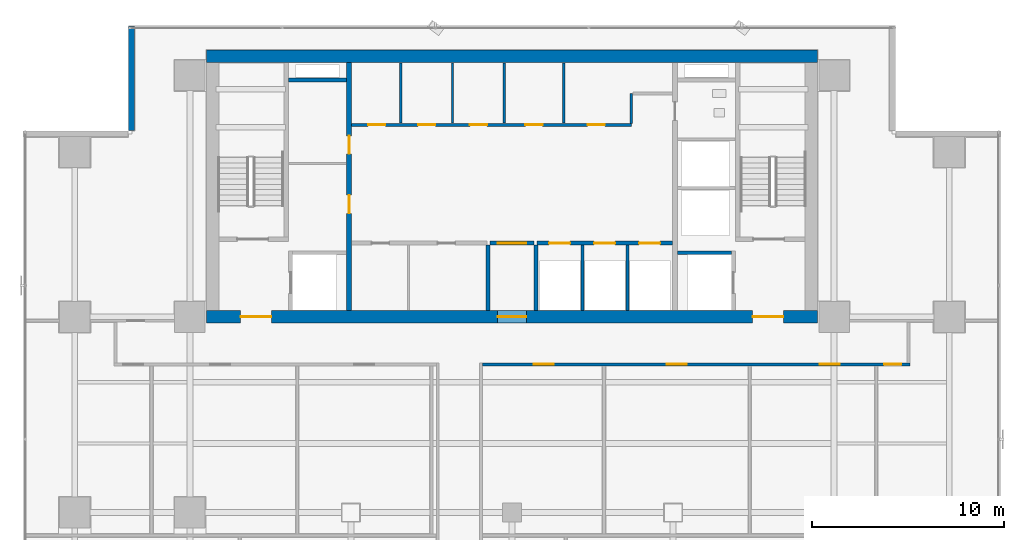
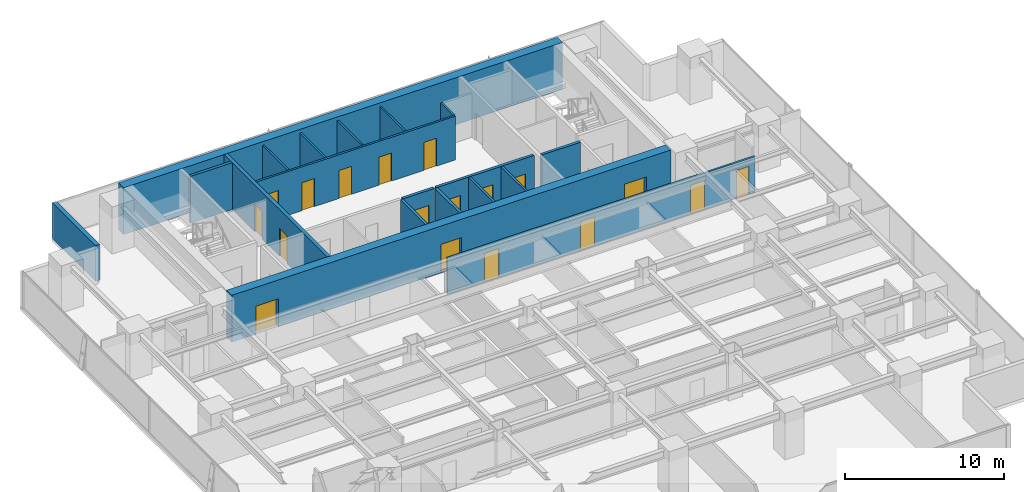
# One storey, part 27 of 34: 19 walls, 18 doors, 18 openings.
"""IFC4 building model written with IfcOpenShell, lengths in metres."""

from ifc_helpers import new_model, si_unit, direction, frame, frame_2d, origin, place, context, subcontext, project, spatial, rectangle, extrude, source, transform, mapped, material, layer, layer_set, type_object, element, fill, save


model = new_model("IFC4")

# Units and contexts
model_context = context("Model", 3, precision=1e-05, world=origin(), true_north=direction((0.0, 1.0)))
body_context = subcontext(model_context, "Body", "Model", "MODEL_VIEW")
ifc_project = project(units=[si_unit("LENGTHUNIT", "METRE"), si_unit("AREAUNIT", "SQUARE_METRE"), si_unit("VOLUMEUNIT", "CUBIC_METRE"), si_unit("PLANEANGLEUNIT", "RADIAN"), si_unit("MASSUNIT", "GRAM", prefix="KILO")], contexts=[model_context])

# Site, building, storey
site_placement = place(None, origin())
site = spatial("IfcSite", under=ifc_project, at=site_placement, CompositionType="ELEMENT")
building_placement = place(site_placement, origin())
building = spatial("IfcBuilding", under=site, at=building_placement, Name="Sumidabori Civic Tower", CompositionType="ELEMENT")
storey_placement = place(building_placement, frame((0.0, 0.0, 99.199951171875)))
storey = spatial("IfcBuildingStorey", under=building, at=storey_placement, Name="L25", CompositionType="ELEMENT", Elevation=99.199951171875)

# Walls
ifc_material_1 = material(Name="Concrete C50/60", Category="concrete")
ifc_layer_1 = layer(ifc_material_1, 0.199951171875, Name="Concrete C50/60")
ifc_layer_set_1 = layer_set([ifc_layer_1], Name="Concrete C50/60")
wall_type_1 = type_object("IfcWallType", Name="WL-SHAFT-200", PredefinedType="SHEAR", material=ifc_layer_set_1)
shared_shape_1 = source(origin(), body_context, "Body", "SweptSolid", [
    extrude(rectangle(XDim=2.824951171875, YDim=0.199951171875, at=frame_2d((1.41259765625, 0.0))), origin(), (0.0, 0.0, 1.0), 3.60009765625),
])
wall_1_placement = place(storey_placement, frame((8.625, 13.550048828125, 0.0), z_axis=(0.0, 0.0, 1.0), x_axis=(1.0, 0.0, 0.0)))
element("IfcWall", 1, at=wall_1_placement, inside=storey, type_object=wall_type_1, Name="Core Shear Wall L25 EL2-N", PredefinedType="SHEAR", context=body_context, shape_type="MappedRepresentation", body=[
    mapped(shared_shape_1, transform((0.0, 0.0, 0.0), x_axis=(1.0, 0.0, 0.0), y_axis=(0.0, 1.0, 0.0), z_axis=(0.0, 0.0, 1.0), scale=1.0)),
])
shared_shape_2 = source(origin(), body_context, "Body", "SweptSolid", [
    extrude(rectangle(XDim=3.02001953125, YDim=0.199951171875, at=frame_2d((1.510009765625, 0.0))), origin(), (0.0, 0.0, 1.0), 3.60009765625),
])
wall_2_placement = place(storey_placement, frame((-11.64501953125, 22.550048828125, 0.0), z_axis=(0.0, 0.0, 1.0), x_axis=(1.0, 0.0, 0.0)))
element("IfcWall", 2, at=wall_2_placement, inside=storey, type_object=wall_type_1, Name="Core Shear Wall L25 RIS1-S", PredefinedType="SHEAR", context=body_context, shape_type="MappedRepresentation", body=[
    mapped(shared_shape_2, transform((0.0, 0.0, 0.0), x_axis=(1.0, 0.0, 0.0), y_axis=(0.0, 1.0, 0.0), z_axis=(0.0, 0.0, 1.0), scale=1.0)),
])
ifc_material_2 = material(Name="Concrete C60/75", Category="concrete")
ifc_layer_2 = layer(ifc_material_2, 0.64990234375, Name="Concrete C60/75")
ifc_layer_set_2 = layer_set([ifc_layer_2], Name="Concrete C60/75")
wall_type_2 = type_object("IfcWallType", Name="WL-CORE-650", PredefinedType="SHEAR", material=ifc_layer_set_2)
shared_shape_3 = source(origin(), body_context, "Body", "SweptSolid", [
    extrude(rectangle(XDim=31.85009765625, YDim=0.64990234375, at=frame_2d((15.925048828125, 0.0))), origin(), (0.0, 0.0, 1.0), 3.60009765625),
])
wall_3_placement = place(storey_placement, frame((-15.925048828125, 23.800048828125, 0.0), z_axis=(0.0, 0.0, 1.0), x_axis=(1.0, 0.0, 0.0)))
element("IfcWall", 3, at=wall_3_placement, inside=storey, type_object=wall_type_2, Name="Core Shear Wall L25 N", PredefinedType="SHEAR", context=body_context, shape_type="MappedRepresentation", body=[
    mapped(shared_shape_3, transform((0.0, 0.0, 0.0), x_axis=(1.0, 0.0, 0.0), y_axis=(0.0, 1.0, 0.0), z_axis=(0.0, 0.0, 1.0), scale=1.0)),
])

# Wall, openings, doors
wall_4_placement = place(storey_placement, frame((-15.925048828125, 10.199951171875, 0.0), z_axis=(0.0, 0.0, 1.0), x_axis=(1.0, 0.0, 0.0)))
wall_4 = element("IfcWall", 4, at=wall_4_placement, inside=storey, type_object=wall_type_2, Name="Core Shear Wall L25 S", PredefinedType="SHEAR", context=body_context, shape_type="MappedRepresentation", body=[
    mapped(shared_shape_3, transform((0.0, 0.0, 0.0), x_axis=(1.0, 0.0, 0.0), y_axis=(0.0, 1.0, 0.0), z_axis=(0.0, 0.0, 1.0), scale=1.0)),
])
opening_1_placement = place(wall_4_placement, frame((1.77490234375, 0.0, 0.0)))
opening_1 = element("IfcOpeningElement", 5, at=opening_1_placement, cuts=wall_4, Name="Opening DR-FD4", PredefinedType="OPENING", context=body_context, shape_type="SweptSolid", body=[
    extrude(rectangle(XDim=1.60009765625, YDim=2.14990234375, at=frame_2d((0.800048828125, 1.074951171875))), frame((0.0, 0.3369140625, 0.0), z_axis=(0.0, -1.0, 0.0), x_axis=(1.0, 0.0, 0.0)), (0.0, 0.0, 1.0), 0.673828125),
])
opening_2_placement = place(wall_4_placement, frame((28.47509765625, 0.0, 0.0)))
opening_2 = element("IfcOpeningElement", 6, at=opening_2_placement, cuts=wall_4, Name="Opening DR-FD4", PredefinedType="OPENING", context=body_context, shape_type="SweptSolid", body=[
    extrude(rectangle(XDim=1.60009765625, YDim=2.14990234375, at=frame_2d((0.800048828125, 1.074951171875))), frame((0.0, 0.3369140625, 0.0), z_axis=(0.0, -1.0, 0.0), x_axis=(1.0, 0.0, 0.0)), (0.0, 0.0, 1.0), 0.673828125),
])
opening_3_placement = place(wall_4_placement, frame((15.175048828125, 0.0, 0.0)))
opening_3 = element("IfcOpeningElement", 7, at=opening_3_placement, cuts=wall_4, Name="Opening DR-FD3", PredefinedType="OPENING", context=body_context, shape_type="SweptSolid", body=[
    extrude(rectangle(XDim=1.5, YDim=2.199951171875, at=frame_2d((0.75, 1.10009765625))), frame((0.0, 0.3369140625, 0.0), z_axis=(0.0, -1.0, 0.0), x_axis=(1.0, 0.0, 0.0)), (0.0, 0.0, 1.0), 0.673828125),
])
ifc_material_3 = material(Name="Steel SN490", Category="steel")
door_type_1 = type_object("IfcDoorType", Name="DR-FD4", OperationType="DOUBLE_DOOR_SINGLE_SWING", PredefinedType="DOOR", material=ifc_material_3)
shared_shape_4 = source(origin(), body_context, "Body", "SweptSolid", [
    extrude(rectangle(XDim=1.60009765625, YDim=2.14990234375, at=frame_2d((0.800048828125, 1.074951171875))), frame((0.0, 0.02490234375, 0.0), z_axis=(0.0, -1.0, 0.0), x_axis=(1.0, 0.0, 0.0)), (0.0, 0.0, 1.0), 0.050048828125),
])
door_1_placement = place(opening_1_placement, origin())
door_1 = element("IfcDoor", 8, at=door_1_placement, inside=storey, type_object=door_type_1, Name="Door DR:L25:ELOB-W", OperationType="DOUBLE_DOOR_SINGLE_SWING", OverallHeight=2.14990234375, OverallWidth=1.60009765625, PredefinedType="DOOR", context=body_context, shape_type="MappedRepresentation", body=[
    mapped(shared_shape_4, transform((0.0, 0.0, 0.0), x_axis=(1.0, 0.0, 0.0), y_axis=(0.0, 1.0, 0.0), z_axis=(0.0, 0.0, 1.0), scale=1.0)),
])
fill(opening_1, door_1)
door_2_placement = place(opening_2_placement, origin())
door_2 = element("IfcDoor", 9, at=door_2_placement, inside=storey, type_object=door_type_1, Name="Door DR:L25:ELOB-E", OperationType="DOUBLE_DOOR_SINGLE_SWING", OverallHeight=2.14990234375, OverallWidth=1.60009765625, PredefinedType="DOOR", context=body_context, shape_type="MappedRepresentation", body=[
    mapped(shared_shape_4, transform((0.0, 0.0, 0.0), x_axis=(1.0, 0.0, 0.0), y_axis=(0.0, 1.0, 0.0), z_axis=(0.0, 0.0, 1.0), scale=1.0)),
])
fill(opening_2, door_2)
door_type_2 = type_object("IfcDoorType", Name="DR-FD-DBL", OperationType="DOUBLE_DOOR_SINGLE_SWING", PredefinedType="DOOR", material=ifc_material_3)
shared_shape_5 = source(origin(), body_context, "Body", "SweptSolid", [
    extrude(rectangle(XDim=1.5, YDim=2.199951171875, at=frame_2d((0.75, 1.10009765625))), frame((0.0, 0.02490234375, 0.0), z_axis=(0.0, -1.0, 0.0), x_axis=(1.0, 0.0, 0.0)), (0.0, 0.0, 1.0), 0.050048828125),
])
door_3_placement = place(opening_3_placement, origin())
door_3 = element("IfcDoor", 10, at=door_3_placement, inside=storey, type_object=door_type_2, Name="Door DR:L25:THROAT-OUT", OperationType="DOUBLE_DOOR_SINGLE_SWING", OverallHeight=2.199951171875, OverallWidth=1.5, PredefinedType="DOOR", context=body_context, shape_type="MappedRepresentation", body=[
    mapped(shared_shape_5, transform((0.0, 0.0, 0.0), x_axis=(1.0, 0.0, 0.0), y_axis=(0.0, 1.0, 0.0), z_axis=(0.0, 0.0, 1.0), scale=1.0)),
])
fill(opening_3, door_3)

ifc_layer_3 = layer(ifc_material_1, 0.25, Name="Concrete C50/60")
ifc_layer_set_3 = layer_set([ifc_layer_3], Name="Concrete C50/60")
wall_type_3 = type_object("IfcWallType", Name="WL-SHAFT-250", PredefinedType="SHEAR", material=ifc_layer_set_3)
shared_shape_6 = source(origin(), body_context, "Body", "SweptSolid", [
    extrude(rectangle(XDim=12.9501953125, YDim=0.25, at=frame_2d((6.47509765625, 0.0))), origin(), (0.0, 0.0, 1.0), 3.60009765625),
])
wall_5_placement = place(storey_placement, frame((-8.5, 10.52490234375, 0.0), z_axis=(0.0, 0.0, 1.0), x_axis=(0.0, 1.0, 0.0)))
wall_5 = element("IfcWall", 11, at=wall_5_placement, inside=storey, type_object=wall_type_3, Name="Core Shear Wall L25 WEB-W", PredefinedType="SHEAR", context=body_context, shape_type="MappedRepresentation", body=[
    mapped(shared_shape_6, transform((0.0, 0.0, 0.0), x_axis=(1.0, 0.0, 0.0), y_axis=(0.0, 1.0, 0.0), z_axis=(0.0, 0.0, 1.0), scale=1.0)),
])
opening_4_placement = place(wall_5_placement, frame((5.074951171875, 0.0, 0.0)))
opening_4 = element("IfcOpeningElement", 12, at=opening_4_placement, cuts=wall_5, Name="Opening DR-FD2", PredefinedType="OPENING", context=body_context, shape_type="SweptSolid", body=[
    extrude(rectangle(XDim=0.949951171875, YDim=2.14990234375, at=frame_2d((0.47509765625, 1.074951171875))), frame((0.0, 0.136962890625, 0.0), z_axis=(0.0, -1.0, 0.0), x_axis=(1.0, 0.0, 0.0)), (0.0, 0.0, 1.0), 0.27392578125),
])
opening_5_placement = place(wall_5_placement, frame((8.175048828125, 0.0, 0.0)))
opening_5 = element("IfcOpeningElement", 13, at=opening_5_placement, cuts=wall_5, Name="Opening DR-FD2", PredefinedType="OPENING", context=body_context, shape_type="SweptSolid", body=[
    extrude(rectangle(XDim=0.949951171875, YDim=2.14990234375, at=frame_2d((0.47509765625, 1.074951171875))), frame((0.0, 0.136962890625, 0.0), z_axis=(0.0, -1.0, 0.0), x_axis=(1.0, 0.0, 0.0)), (0.0, 0.0, 1.0), 0.27392578125),
])
door_type_3 = type_object("IfcDoorType", Name="DR-FD2", OperationType="NOTDEFINED", PredefinedType="DOOR", material=ifc_material_3)
shared_shape_7 = source(origin(), body_context, "Body", "SweptSolid", [
    extrude(rectangle(XDim=0.949951171875, YDim=2.14990234375, at=frame_2d((0.47509765625, 1.074951171875))), frame((0.0, 0.02490234375, 0.0), z_axis=(0.0, -1.0, 0.0), x_axis=(1.0, 0.0, 0.0)), (0.0, 0.0, 1.0), 0.050048828125),
])
door_4_placement = place(opening_4_placement, origin())
door_4 = element("IfcDoor", 14, at=door_4_placement, inside=storey, type_object=door_type_3, Name="Door DR:L25:CW-S1", OperationType="SINGLE_SWING_LEFT", OverallHeight=2.14990234375, OverallWidth=0.949951171875, PredefinedType="DOOR", context=body_context, shape_type="MappedRepresentation", body=[
    mapped(shared_shape_7, transform((0.0, 0.0, 0.0), x_axis=(1.0, 0.0, 0.0), y_axis=(0.0, 1.0, 0.0), z_axis=(0.0, 0.0, 1.0), scale=1.0)),
])
fill(opening_4, door_4)
door_5_placement = place(opening_5_placement, origin())
door_5 = element("IfcDoor", 15, at=door_5_placement, inside=storey, type_object=door_type_3, Name="Door DR:L25:CW-S2", OperationType="SINGLE_SWING_RIGHT", OverallHeight=2.14990234375, OverallWidth=0.949951171875, PredefinedType="DOOR", context=body_context, shape_type="MappedRepresentation", body=[
    mapped(shared_shape_7, transform((0.0, 0.0, 0.0), x_axis=(1.0, 0.0, 0.0), y_axis=(0.0, 1.0, 0.0), z_axis=(0.0, 0.0, 1.0), scale=1.0)),
])
fill(opening_5, door_5)

# Wall
ifc_material_4 = material(Name="Precast concrete C40/50", Category="concrete")
ifc_layer_4 = layer(ifc_material_4, 0.300048828125, Name="Precast concrete C40/50")
ifc_layer_set_4 = layer_set([ifc_layer_4], Name="Precast concrete C40/50")
wall_type_4 = type_object("IfcWallType", Name="WL-EXT-POD300", PredefinedType="STANDARD", material=ifc_layer_set_4)
shared_shape_8 = source(origin(), body_context, "Body", "SweptSolid", [
    extrude(rectangle(XDim=5.4599609375, YDim=0.300048828125, at=frame_2d((2.72998046875, 0.0))), origin(), (0.0, 0.0, 1.0), 2.739990234375),
])
wall_6_placement = place(storey_placement, frame((-19.85009765625, 25.3798828125, 0.0), z_axis=(0.0, 0.0, 1.0), x_axis=(0.0, -1.0, 0.0)))
element("IfcWall", 16, at=wall_6_placement, inside=storey, type_object=wall_type_4, Name="Notched Corner Spandrel Band L25-08", PredefinedType="STANDARD", context=body_context, shape_type="MappedRepresentation", body=[
    mapped(shared_shape_8, transform((0.0, 0.0, 0.0), x_axis=(1.0, 0.0, 0.0), y_axis=(0.0, 1.0, 0.0), z_axis=(0.0, 0.0, 1.0), scale=1.0)),
])

# Wall, openings, doors
ifc_material_5 = material(Name="Gypsum Plasterboard Fire Partition")
ifc_layer_5 = layer(ifc_material_5, 0.199951171875, Name="Gypsum Plasterboard Fire Partition")
ifc_layer_set_5 = layer_set([ifc_layer_5], Name="Gypsum Plasterboard Fire Partition")
wall_type_5 = type_object("IfcWallType", Name="WL-PART-FIRE", PredefinedType="PARTITIONING", material=ifc_layer_set_5)
shared_shape_9 = source(origin(), body_context, "Body", "SweptSolid", [
    extrude(rectangle(XDim=7.070068359375, YDim=0.199951171875, at=frame_2d((3.53515625, 0.0))), origin(), (0.0, 0.0, 1.0), 3.360107421875),
])
wall_7_placement = place(storey_placement, frame((1.300048828125, 14.050048828125, 0.0), z_axis=(0.0, 0.0, 1.0), x_axis=(1.0, 0.0, 0.0)))
wall_7 = element("IfcWall", 17, at=wall_7_placement, inside=storey, type_object=wall_type_5, Name="Interior Partition WL:L25:CBAND-SE", PredefinedType="PARTITIONING", context=body_context, shape_type="MappedRepresentation", body=[
    mapped(shared_shape_9, transform((0.0, 0.0, 0.0), x_axis=(1.0, 0.0, 0.0), y_axis=(0.0, 1.0, 0.0), z_axis=(0.0, 0.0, 1.0), scale=1.0)),
])
opening_6_placement = place(wall_7_placement, frame((0.6298828125, 0.0, 0.0)))
opening_6 = element("IfcOpeningElement", 18, at=opening_6_placement, cuts=wall_7, Name="Opening LD-1", PredefinedType="OPENING", context=body_context, shape_type="SweptSolid", body=[
    extrude(rectangle(XDim=1.10009765625, YDim=2.14990234375, at=frame_2d((0.550048828125, 1.074951171875))), frame((0.0, 0.11181640625, 0.0), z_axis=(0.0, -1.0, 0.0), x_axis=(1.0, 0.0, 0.0)), (0.0, 0.0, 1.0), 0.223876953125),
])
opening_7_placement = place(wall_7_placement, frame((2.97998046875, 0.0, 0.0)))
opening_7 = element("IfcOpeningElement", 19, at=opening_7_placement, cuts=wall_7, Name="Opening LD-1", PredefinedType="OPENING", context=body_context, shape_type="SweptSolid", body=[
    extrude(rectangle(XDim=1.10009765625, YDim=2.14990234375, at=frame_2d((0.550048828125, 1.074951171875))), frame((0.0, 0.11181640625, 0.0), z_axis=(0.0, -1.0, 0.0), x_axis=(1.0, 0.0, 0.0)), (0.0, 0.0, 1.0), 0.223876953125),
])
opening_8_placement = place(wall_7_placement, frame((5.330078125, 0.0, 0.0)))
opening_8 = element("IfcOpeningElement", 20, at=opening_8_placement, cuts=wall_7, Name="Opening LD-1", PredefinedType="OPENING", context=body_context, shape_type="SweptSolid", body=[
    extrude(rectangle(XDim=1.10009765625, YDim=2.14990234375, at=frame_2d((0.550048828125, 1.074951171875))), frame((0.0, 0.11181640625, 0.0), z_axis=(0.0, -1.0, 0.0), x_axis=(1.0, 0.0, 0.0)), (0.0, 0.0, 1.0), 0.223876953125),
])
ifc_material_6 = material(Name="Stainless Steel Hairline Finish", Category="steel")
door_type_4 = type_object("IfcDoorType", Name="DR-LD1", OperationType="DOUBLE_DOOR_SLIDING", PredefinedType="DOOR", material=ifc_material_6)
shared_shape_10 = source(origin(), body_context, "Body", "SweptSolid", [
    extrude(rectangle(XDim=1.10009765625, YDim=2.14990234375, at=frame_2d((0.550048828125, 1.074951171875))), frame((0.0, 0.02490234375, 0.0), z_axis=(0.0, -1.0, 0.0), x_axis=(1.0, 0.0, 0.0)), (0.0, 0.0, 1.0), 0.050048828125),
])
door_6_placement = place(opening_6_placement, origin())
door_6 = element("IfcDoor", 21, at=door_6_placement, inside=storey, type_object=door_type_4, Name="Door DR:L25:LD-PLM1", OperationType="DOUBLE_DOOR_SLIDING", OverallHeight=2.14990234375, OverallWidth=1.10009765625, PredefinedType="DOOR", context=body_context, shape_type="MappedRepresentation", body=[
    mapped(shared_shape_10, transform((0.0, 0.0, 0.0), x_axis=(1.0, 0.0, 0.0), y_axis=(0.0, 1.0, 0.0), z_axis=(0.0, 0.0, 1.0), scale=1.0)),
])
fill(opening_6, door_6)
door_7_placement = place(opening_7_placement, origin())
door_7 = element("IfcDoor", 22, at=door_7_placement, inside=storey, type_object=door_type_4, Name="Door DR:L25:LD-PLM2", OperationType="DOUBLE_DOOR_SLIDING", OverallHeight=2.14990234375, OverallWidth=1.10009765625, PredefinedType="DOOR", context=body_context, shape_type="MappedRepresentation", body=[
    mapped(shared_shape_10, transform((0.0, 0.0, 0.0), x_axis=(1.0, 0.0, 0.0), y_axis=(0.0, 1.0, 0.0), z_axis=(0.0, 0.0, 1.0), scale=1.0)),
])
fill(opening_7, door_7)
door_8_placement = place(opening_8_placement, origin())
door_8 = element("IfcDoor", 23, at=door_8_placement, inside=storey, type_object=door_type_4, Name="Door DR:L25:LD-PLM3", OperationType="DOUBLE_DOOR_SLIDING", OverallHeight=2.14990234375, OverallWidth=1.10009765625, PredefinedType="DOOR", context=body_context, shape_type="MappedRepresentation", body=[
    mapped(shared_shape_10, transform((0.0, 0.0, 0.0), x_axis=(1.0, 0.0, 0.0), y_axis=(0.0, 1.0, 0.0), z_axis=(0.0, 0.0, 1.0), scale=1.0)),
])
fill(opening_8, door_8)

# Wall, opening, door
shared_shape_11 = source(origin(), body_context, "Body", "SweptSolid", [
    extrude(rectangle(XDim=2.2998046875, YDim=0.199951171875, at=frame_2d((1.14990234375, 0.0))), origin(), (0.0, 0.0, 1.0), 3.360107421875),
])
wall_8_placement = place(storey_placement, frame((-1.14990234375, 14.050048828125, 0.0), z_axis=(0.0, 0.0, 1.0), x_axis=(1.0, 0.0, 0.0)))
wall_8 = element("IfcWall", 24, at=wall_8_placement, inside=storey, type_object=wall_type_5, Name="Interior Partition WL:L25:THROAT-N", PredefinedType="PARTITIONING", context=body_context, shape_type="MappedRepresentation", body=[
    mapped(shared_shape_11, transform((0.0, 0.0, 0.0), x_axis=(1.0, 0.0, 0.0), y_axis=(0.0, 1.0, 0.0), z_axis=(0.0, 0.0, 1.0), scale=1.0)),
])
opening_9_placement = place(wall_8_placement, frame((0.39990234375, 0.0, 0.0)))
opening_9 = element("IfcOpeningElement", 25, at=opening_9_placement, cuts=wall_8, Name="Opening DR-FD3", PredefinedType="OPENING", context=body_context, shape_type="SweptSolid", body=[
    extrude(rectangle(XDim=1.5, YDim=2.199951171875, at=frame_2d((0.75, 1.10009765625))), frame((0.0, 0.11181640625, 0.0), z_axis=(0.0, -1.0, 0.0), x_axis=(1.0, 0.0, 0.0)), (0.0, 0.0, 1.0), 0.223876953125),
])
door_9_placement = place(opening_9_placement, origin())
door_9 = element("IfcDoor", 26, at=door_9_placement, inside=storey, type_object=door_type_2, Name="Door DR:L25:THROAT-IN", OperationType="DOUBLE_DOOR_SINGLE_SWING", OverallHeight=2.199951171875, OverallWidth=1.5, PredefinedType="DOOR", context=body_context, shape_type="MappedRepresentation", body=[
    mapped(shared_shape_5, transform((0.0, 0.0, 0.0), x_axis=(1.0, 0.0, 0.0), y_axis=(0.0, 1.0, 0.0), z_axis=(0.0, 0.0, 1.0), scale=1.0)),
])
fill(opening_9, door_9)

# Wall, openings, doors
ifc_material_7 = material(Name="Gypsum Plasterboard Acoustic Partition")
ifc_layer_6 = layer(ifc_material_7, 0.14990234375, Name="Gypsum Plasterboard Acoustic Partition")
ifc_layer_set_6 = layer_set([ifc_layer_6], Name="Gypsum Plasterboard Acoustic Partition")
wall_type_6 = type_object("IfcWallType", Name="WL-PART-150", PredefinedType="PARTITIONING", material=ifc_layer_set_6)
shared_shape_12 = source(origin(), body_context, "Body", "SweptSolid", [
    extrude(rectangle(XDim=14.590087890625, YDim=0.14990234375, at=frame_2d((7.294921875, 0.0))), origin(), (0.0, 0.0, 1.0), 3.360107421875),
])
wall_9_placement = place(storey_placement, frame((-8.3701171875, 20.219970703125, 0.0), z_axis=(0.0, 0.0, 1.0), x_axis=(1.0, 0.0, 0.0)))
wall_9 = element("IfcWall", 27, at=wall_9_placement, inside=storey, type_object=wall_type_6, Name="Interior Partition WL:L25:CBAND-M", PredefinedType="PARTITIONING", context=body_context, shape_type="MappedRepresentation", body=[
    mapped(shared_shape_12, transform((0.0, 0.0, 0.0), x_axis=(1.0, 0.0, 0.0), y_axis=(0.0, 1.0, 0.0), z_axis=(0.0, 0.0, 1.0), scale=1.0)),
])
opening_10_placement = place(wall_9_placement, frame((0.860107421875, 0.0, 0.0)))
opening_10 = element("IfcOpeningElement", 28, at=opening_10_placement, cuts=wall_9, Name="Opening DR-1", PredefinedType="OPENING", context=body_context, shape_type="SweptSolid", body=[
    extrude(rectangle(XDim=0.89990234375, YDim=2.14990234375, at=frame_2d((0.449951171875, 1.074951171875))), frame((0.0, 0.0869140625, 0.0), z_axis=(0.0, -1.0, 0.0), x_axis=(1.0, 0.0, 0.0)), (0.0, 0.0, 1.0), 0.173828125),
])
opening_11_placement = place(wall_9_placement, frame((3.469970703125, 0.0, 0.0)))
opening_11 = element("IfcOpeningElement", 29, at=opening_11_placement, cuts=wall_9, Name="Opening DR-1", PredefinedType="OPENING", context=body_context, shape_type="SweptSolid", body=[
    extrude(rectangle(XDim=0.89990234375, YDim=2.14990234375, at=frame_2d((0.449951171875, 1.074951171875))), frame((0.0, 0.0869140625, 0.0), z_axis=(0.0, -1.0, 0.0), x_axis=(1.0, 0.0, 0.0)), (0.0, 0.0, 1.0), 0.173828125),
])
opening_12_placement = place(wall_9_placement, frame((6.169921875, 0.0, 0.0)))
opening_12 = element("IfcOpeningElement", 30, at=opening_12_placement, cuts=wall_9, Name="Opening DR-1", PredefinedType="OPENING", context=body_context, shape_type="SweptSolid", body=[
    extrude(rectangle(XDim=0.89990234375, YDim=2.14990234375, at=frame_2d((0.449951171875, 1.074951171875))), frame((0.0, 0.0869140625, 0.0), z_axis=(0.0, -1.0, 0.0), x_axis=(1.0, 0.0, 0.0)), (0.0, 0.0, 1.0), 0.173828125),
])
opening_13_placement = place(wall_9_placement, frame((9.070068359375, 0.0, 0.0)))
opening_13 = element("IfcOpeningElement", 31, at=opening_13_placement, cuts=wall_9, Name="Opening DR-1", PredefinedType="OPENING", context=body_context, shape_type="SweptSolid", body=[
    extrude(rectangle(XDim=0.89990234375, YDim=2.14990234375, at=frame_2d((0.449951171875, 1.074951171875))), frame((0.0, 0.0869140625, 0.0), z_axis=(0.0, -1.0, 0.0), x_axis=(1.0, 0.0, 0.0)), (0.0, 0.0, 1.0), 0.173828125),
])
opening_14_placement = place(wall_9_placement, frame((12.320068359375, 0.0, 0.0)))
opening_14 = element("IfcOpeningElement", 32, at=opening_14_placement, cuts=wall_9, Name="Opening DR-1", PredefinedType="OPENING", context=body_context, shape_type="SweptSolid", body=[
    extrude(rectangle(XDim=0.89990234375, YDim=2.14990234375, at=frame_2d((0.449951171875, 1.074951171875))), frame((0.0, 0.0869140625, 0.0), z_axis=(0.0, -1.0, 0.0), x_axis=(1.0, 0.0, 0.0)), (0.0, 0.0, 1.0), 0.173828125),
])
ifc_material_8 = material(Name="Japanese Hinoki Timber", Category="wood")
door_type_5 = type_object("IfcDoorType", Name="DR-INT-900", OperationType="NOTDEFINED", PredefinedType="DOOR", material=ifc_material_8)
shared_shape_13 = source(origin(), body_context, "Body", "SweptSolid", [
    extrude(rectangle(XDim=0.89990234375, YDim=2.14990234375, at=frame_2d((0.449951171875, 1.074951171875))), frame((0.0, 0.02490234375, 0.0), z_axis=(0.0, -1.0, 0.0), x_axis=(1.0, 0.0, 0.0)), (0.0, 0.0, 1.0), 0.050048828125),
])
door_10_placement = place(opening_10_placement, origin())
door_10 = element("IfcDoor", 33, at=door_10_placement, inside=storey, type_object=door_type_5, Name="Door DR:L25:CB-1", OperationType="SINGLE_SWING_LEFT", OverallHeight=2.14990234375, OverallWidth=0.89990234375, PredefinedType="DOOR", context=body_context, shape_type="MappedRepresentation", body=[
    mapped(shared_shape_13, transform((0.0, 0.0, 0.0), x_axis=(1.0, 0.0, 0.0), y_axis=(0.0, 1.0, 0.0), z_axis=(0.0, 0.0, 1.0), scale=1.0)),
])
fill(opening_10, door_10)
door_11_placement = place(opening_11_placement, origin())
door_11 = element("IfcDoor", 34, at=door_11_placement, inside=storey, type_object=door_type_5, Name="Door DR:L25:CB-2", OperationType="SINGLE_SWING_RIGHT", OverallHeight=2.14990234375, OverallWidth=0.89990234375, PredefinedType="DOOR", context=body_context, shape_type="MappedRepresentation", body=[
    mapped(shared_shape_13, transform((0.0, 0.0, 0.0), x_axis=(1.0, 0.0, 0.0), y_axis=(0.0, 1.0, 0.0), z_axis=(0.0, 0.0, 1.0), scale=1.0)),
])
fill(opening_11, door_11)
door_12_placement = place(opening_12_placement, origin())
door_12 = element("IfcDoor", 35, at=door_12_placement, inside=storey, type_object=door_type_5, Name="Door DR:L25:CB-3", OperationType="SINGLE_SWING_LEFT", OverallHeight=2.14990234375, OverallWidth=0.89990234375, PredefinedType="DOOR", context=body_context, shape_type="MappedRepresentation", body=[
    mapped(shared_shape_13, transform((0.0, 0.0, 0.0), x_axis=(1.0, 0.0, 0.0), y_axis=(0.0, 1.0, 0.0), z_axis=(0.0, 0.0, 1.0), scale=1.0)),
])
fill(opening_12, door_12)
door_13_placement = place(opening_13_placement, origin())
door_13 = element("IfcDoor", 36, at=door_13_placement, inside=storey, type_object=door_type_5, Name="Door DR:L25:CB-4", OperationType="SINGLE_SWING_RIGHT", OverallHeight=2.14990234375, OverallWidth=0.89990234375, PredefinedType="DOOR", context=body_context, shape_type="MappedRepresentation", body=[
    mapped(shared_shape_13, transform((0.0, 0.0, 0.0), x_axis=(1.0, 0.0, 0.0), y_axis=(0.0, 1.0, 0.0), z_axis=(0.0, 0.0, 1.0), scale=1.0)),
])
fill(opening_13, door_13)
door_14_placement = place(opening_14_placement, origin())
door_14 = element("IfcDoor", 37, at=door_14_placement, inside=storey, type_object=door_type_5, Name="Door DR:L25:CB-5", OperationType="SINGLE_SWING_LEFT", OverallHeight=2.14990234375, OverallWidth=0.89990234375, PredefinedType="DOOR", context=body_context, shape_type="MappedRepresentation", body=[
    mapped(shared_shape_13, transform((0.0, 0.0, 0.0), x_axis=(1.0, 0.0, 0.0), y_axis=(0.0, 1.0, 0.0), z_axis=(0.0, 0.0, 1.0), scale=1.0)),
])
fill(opening_14, door_14)

# Walls
shared_shape_14 = source(origin(), body_context, "Body", "SweptSolid", [
    extrude(rectangle(XDim=1.550048828125, YDim=0.14990234375, at=frame_2d((0.77490234375, 0.0))), origin(), (0.0, 0.0, 1.0), 3.360107421875),
])
wall_10_placement = place(storey_placement, frame((6.219970703125, 20.300048828125, 0.0), z_axis=(0.0, 0.0, 1.0), x_axis=(0.0, 1.0, 0.0)))
element("IfcWall", 38, at=wall_10_placement, inside=storey, type_object=wall_type_6, Name="Interior Partition WL:L25:CBAND-ME1", PredefinedType="PARTITIONING", context=body_context, shape_type="MappedRepresentation", body=[
    mapped(shared_shape_14, transform((0.0, 0.0, 0.0), x_axis=(1.0, 0.0, 0.0), y_axis=(0.0, 1.0, 0.0), z_axis=(0.0, 0.0, 1.0), scale=1.0)),
])
shared_shape_15 = source(origin(), body_context, "Body", "SweptSolid", [
    extrude(rectangle(XDim=3.4150390625, YDim=0.199951171875, at=frame_2d((1.70751953125, 0.0))), origin(), (0.0, 0.0, 1.0), 3.360107421875),
])
for number, where, z_axis, x_axis, name in (
    (39, (-1.25, 10.52490234375, 0.0), (0.0, 0.0, 1.0), (0.0, 1.0, 0.0), "Interior Partition WL:L25:THROAT-W"),
    (40, (1.25, 10.52490234375, 0.0), (0.0, 0.0, 1.0), (0.0, 1.0, 0.0), "Interior Partition WL:L25:THROAT-E"),
):
    element("IfcWall", number, at=place(storey_placement, frame(where, z_axis=z_axis, x_axis=x_axis)), inside=storey, type_object=wall_type_5, Name=name, PredefinedType="PARTITIONING", context=body_context, shape_type="MappedRepresentation", body=[
        mapped(shared_shape_15, transform((0.0, 0.0, 0.0), x_axis=(1.0, 0.0, 0.0), y_axis=(0.0, 1.0, 0.0), z_axis=(0.0, 0.0, 1.0), scale=1.0)),
    ])
shared_shape_16 = source(origin(), body_context, "Body", "SweptSolid", [
    extrude(rectangle(XDim=3.4150390625, YDim=0.14990234375, at=frame_2d((1.70751953125, 0.0))), origin(), (0.0, 0.0, 1.0), 3.360107421875),
])
for number, where, z_axis, x_axis, name in (
    (41, (3.669921875, 10.52490234375, 0.0), (0.0, 0.0, 1.0), (0.0, 1.0, 0.0), "Interior Partition WL:L25:DIV-PLM1"),
    (42, (6.02001953125, 10.52490234375, 0.0), (0.0, 0.0, 1.0), (0.0, 1.0, 0.0), "Interior Partition WL:L25:DIV-PLM2"),
):
    element("IfcWall", number, at=place(storey_placement, frame(where, z_axis=z_axis, x_axis=x_axis)), inside=storey, type_object=wall_type_6, Name=name, PredefinedType="PARTITIONING", context=body_context, shape_type="MappedRepresentation", body=[
        mapped(shared_shape_16, transform((0.0, 0.0, 0.0), x_axis=(1.0, 0.0, 0.0), y_axis=(0.0, 1.0, 0.0), z_axis=(0.0, 0.0, 1.0), scale=1.0)),
    ])
ifc_layer_7 = layer(ifc_material_7, 0.1201171875, Name="Gypsum Plasterboard Acoustic Partition")
ifc_layer_set_7 = layer_set([ifc_layer_7], Name="Gypsum Plasterboard Acoustic Partition")
wall_type_7 = type_object("IfcWallType", Name="WL-PART-120", PredefinedType="PARTITIONING", material=ifc_layer_set_7)
shared_shape_17 = source(origin(), body_context, "Body", "SweptSolid", [
    extrude(rectangle(XDim=3.114990234375, YDim=0.1201171875, at=frame_2d((1.5576171875, 0.0))), origin(), (0.0, 0.0, 1.0), 3.360107421875),
])
for number, where, z_axis, x_axis, name in (
    (43, (-5.800048828125, 20.320068359375, 0.0), (0.0, 0.0, 1.0), (0.0, 1.0, 0.0), "Interior Partition WL:L25:LV8-S1"),
    (44, (-3.10009765625, 20.320068359375, 0.0), (0.0, 0.0, 1.0), (0.0, 1.0, 0.0), "Interior Partition WL:L25:LV8-S2"),
    (45, (-0.39990234375, 20.320068359375, 0.0), (0.0, 0.0, 1.0), (0.0, 1.0, 0.0), "Interior Partition WL:L25:LV8-S3"),
    (46, (2.699951171875, 20.320068359375, 0.0), (0.0, 0.0, 1.0), (0.0, 1.0, 0.0), "Interior Partition WL:L25:LV8-S4"),
):
    element("IfcWall", number, at=place(storey_placement, frame(where, z_axis=z_axis, x_axis=x_axis)), inside=storey, type_object=wall_type_7, Name=name, PredefinedType="PARTITIONING", context=body_context, shape_type="MappedRepresentation", body=[
        mapped(shared_shape_17, transform((0.0, 0.0, 0.0), x_axis=(1.0, 0.0, 0.0), y_axis=(0.0, 1.0, 0.0), z_axis=(0.0, 0.0, 1.0), scale=1.0)),
    ])

# Wall, openings, doors
shared_shape_18 = source(origin(), body_context, "Body", "SweptSolid", [
    extrude(rectangle(XDim=22.300048828125, YDim=0.14990234375, at=frame_2d((11.14990234375, 0.0))), origin(), (0.0, 0.0, 1.0), 2.7451171875),
])
wall_11_placement = place(storey_placement, frame((-1.550048828125, 7.72509765625, 0.0), z_axis=(0.0, 0.0, 1.0), x_axis=(1.0, 0.0, 0.0)))
wall_11 = element("IfcWall", 47, at=wall_11_placement, inside=storey, type_object=wall_type_6, Name="Interior Partition WL:L25:CORR-SE", PredefinedType="PARTITIONING", context=body_context, shape_type="MappedRepresentation", body=[
    mapped(shared_shape_18, transform((0.0, 0.0, 0.0), x_axis=(1.0, 0.0, 0.0), y_axis=(0.0, 1.0, 0.0), z_axis=(0.0, 0.0, 1.0), scale=1.0)),
])
opening_15_placement = place(wall_11_placement, frame((20.952392578125, 0.0, 0.0)))
opening_15 = element("IfcOpeningElement", 48, at=opening_15_placement, cuts=wall_11, Name="Opening DR-1", PredefinedType="OPENING", context=body_context, shape_type="SweptSolid", body=[
    extrude(rectangle(XDim=0.89990234375, YDim=2.14990234375, at=frame_2d((0.449951171875, 1.074951171875))), frame((0.0, 0.0869140625, 0.0), z_axis=(0.0, -1.0, 0.0), x_axis=(1.0, 0.0, 0.0)), (0.0, 0.0, 1.0), 0.173828125),
])
opening_16_placement = place(wall_11_placement, frame((17.610107421875, 0.0, 0.0)))
opening_16 = element("IfcOpeningElement", 49, at=opening_16_placement, cuts=wall_11, Name="Opening DR-4", PredefinedType="OPENING", context=body_context, shape_type="SweptSolid", body=[
    extrude(rectangle(XDim=1.0400390625, YDim=2.199951171875, at=frame_2d((0.52001953125, 1.10009765625))), frame((0.0, 0.0869140625, 0.0), z_axis=(0.0, -1.0, 0.0), x_axis=(1.0, 0.0, 0.0)), (0.0, 0.0, 1.0), 0.173828125),
])
opening_17_placement = place(wall_11_placement, frame((2.677490234375, 0.0, 0.0)))
opening_17 = element("IfcOpeningElement", 50, at=opening_17_placement, cuts=wall_11, Name="Opening DR-4", PredefinedType="OPENING", context=body_context, shape_type="SweptSolid", body=[
    extrude(rectangle(XDim=1.0400390625, YDim=2.199951171875, at=frame_2d((0.52001953125, 1.10009765625))), frame((0.0, 0.0869140625, 0.0), z_axis=(0.0, -1.0, 0.0), x_axis=(1.0, 0.0, 0.0)), (0.0, 0.0, 1.0), 0.173828125),
])
opening_18_placement = place(wall_11_placement, frame((9.6298828125, 0.0, 0.0)))
opening_18 = element("IfcOpeningElement", 51, at=opening_18_placement, cuts=wall_11, Name="Opening DR-4", PredefinedType="OPENING", context=body_context, shape_type="SweptSolid", body=[
    extrude(rectangle(XDim=1.0400390625, YDim=2.199951171875, at=frame_2d((0.52001953125, 1.10009765625))), frame((0.0, 0.0869140625, 0.0), z_axis=(0.0, -1.0, 0.0), x_axis=(1.0, 0.0, 0.0)), (0.0, 0.0, 1.0), 0.173828125),
])
door_15_placement = place(opening_15_placement, origin())
door_15 = element("IfcDoor", 52, at=door_15_placement, inside=storey, type_object=door_type_5, Name="Door DR:L25:D03", OperationType="SINGLE_SWING_LEFT", OverallHeight=2.14990234375, OverallWidth=0.89990234375, PredefinedType="DOOR", context=body_context, shape_type="MappedRepresentation", body=[
    mapped(shared_shape_13, transform((0.0, 0.0, 0.0), x_axis=(1.0, 0.0, 0.0), y_axis=(0.0, 1.0, 0.0), z_axis=(0.0, 0.0, 1.0), scale=1.0)),
])
fill(opening_15, door_15)
door_type_6 = type_object("IfcDoorType", Name="DR-INT-1040", OperationType="NOTDEFINED", PredefinedType="DOOR", material=ifc_material_8)
shared_shape_19 = source(origin(), body_context, "Body", "SweptSolid", [
    extrude(rectangle(XDim=1.0400390625, YDim=2.199951171875, at=frame_2d((0.52001953125, 1.10009765625))), frame((0.0, 0.02490234375, 0.0), z_axis=(0.0, -1.0, 0.0), x_axis=(1.0, 0.0, 0.0)), (0.0, 0.0, 1.0), 0.050048828125),
])
door_16_placement = place(opening_16_placement, origin())
door_16 = element("IfcDoor", 53, at=door_16_placement, inside=storey, type_object=door_type_6, Name="Door DR:L25:D04", OperationType="SINGLE_SWING_RIGHT", OverallHeight=2.199951171875, OverallWidth=1.0400390625, PredefinedType="DOOR", context=body_context, shape_type="MappedRepresentation", body=[
    mapped(shared_shape_19, transform((0.0, 0.0, 0.0), x_axis=(1.0, 0.0, 0.0), y_axis=(0.0, 1.0, 0.0), z_axis=(0.0, 0.0, 1.0), scale=1.0)),
])
fill(opening_16, door_16)
door_17_placement = place(opening_17_placement, origin())
door_17 = element("IfcDoor", 54, at=door_17_placement, inside=storey, type_object=door_type_6, Name="Door DR:L25:D07", OperationType="SINGLE_SWING_LEFT", OverallHeight=2.199951171875, OverallWidth=1.0400390625, PredefinedType="DOOR", context=body_context, shape_type="MappedRepresentation", body=[
    mapped(shared_shape_19, transform((0.0, 0.0, 0.0), x_axis=(1.0, 0.0, 0.0), y_axis=(0.0, 1.0, 0.0), z_axis=(0.0, 0.0, 1.0), scale=1.0)),
])
fill(opening_17, door_17)
door_18_placement = place(opening_18_placement, origin())
door_18 = element("IfcDoor", 55, at=door_18_placement, inside=storey, type_object=door_type_6, Name="Door DR:L25:D08", OperationType="SINGLE_SWING_RIGHT", OverallHeight=2.199951171875, OverallWidth=1.0400390625, PredefinedType="DOOR", context=body_context, shape_type="MappedRepresentation", body=[
    mapped(shared_shape_19, transform((0.0, 0.0, 0.0), x_axis=(1.0, 0.0, 0.0), y_axis=(0.0, 1.0, 0.0), z_axis=(0.0, 0.0, 1.0), scale=1.0)),
])
fill(opening_18, door_18)

save(model, "model.ifc")
